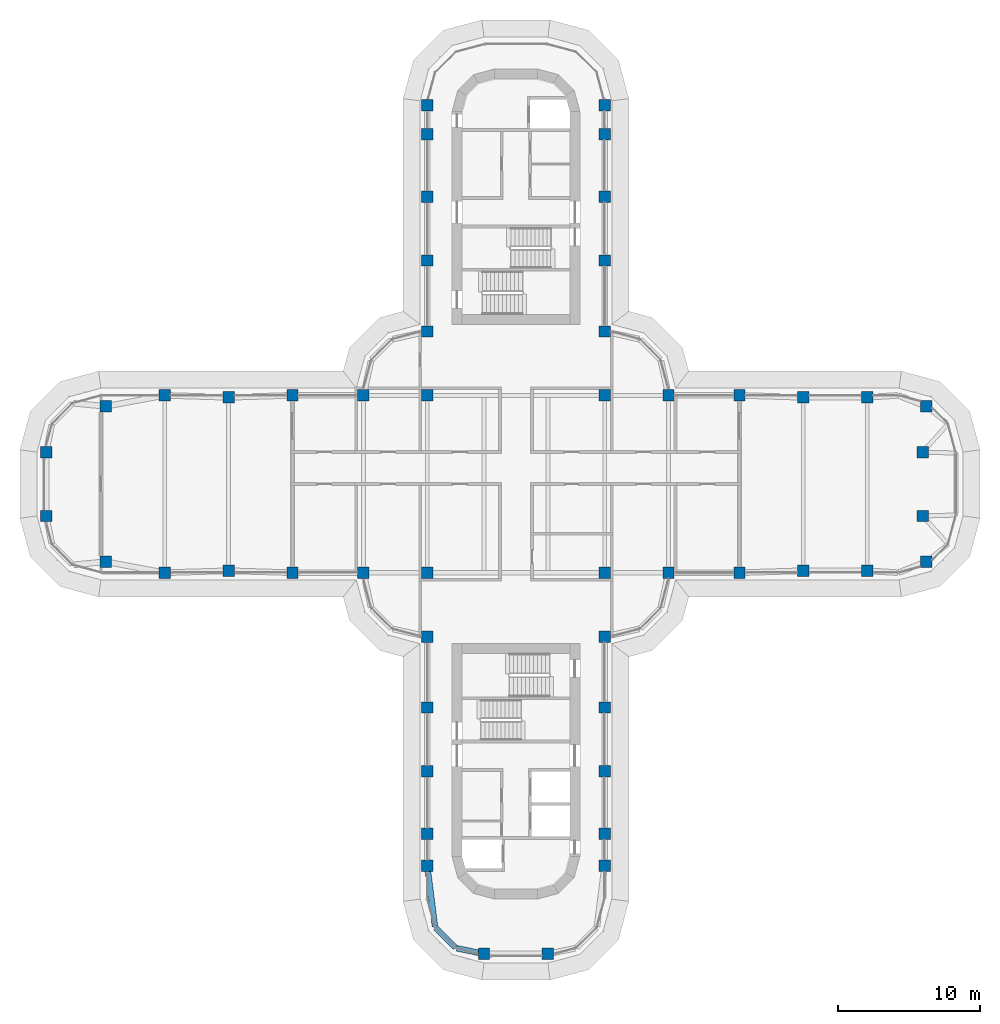
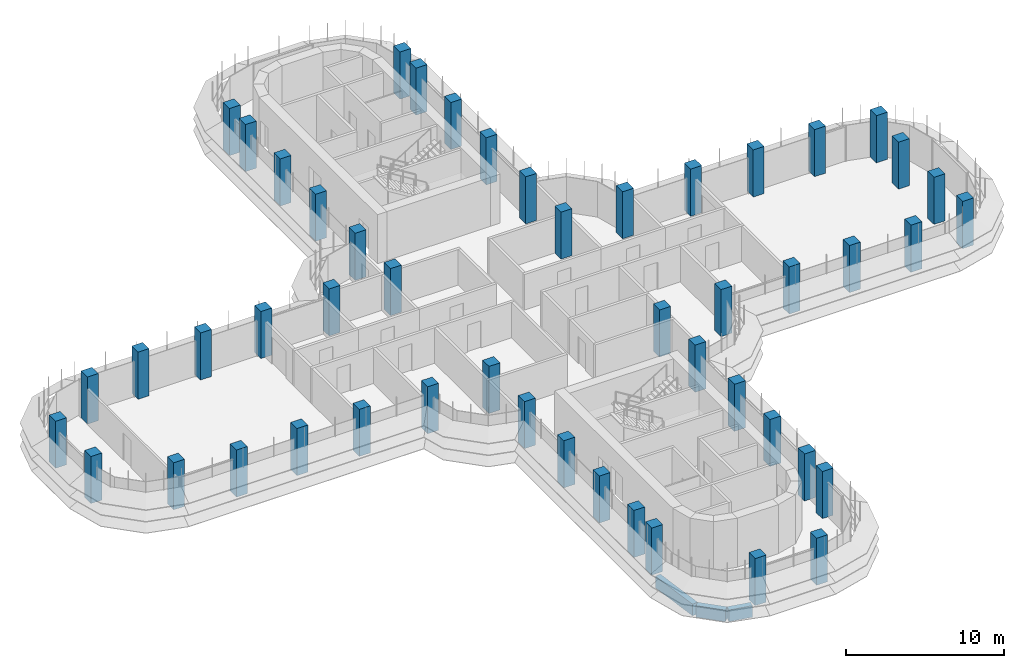
# One storey, part 1 of 20: 50 columns, 3 beams.
"""IFC4 building model written with IfcOpenShell, lengths in metres."""

from ifc_helpers import new_model, si_unit, direction, frame, origin, origin_2d, place, context, subcontext, project, spatial, rectangle, extrude, material, material_profile, profile_set, type_object, element, save


model = new_model("IFC4")

# Units and contexts
model_context = context("Model", 3, precision=1e-05, world=origin(), true_north=direction((0.0, 1.0)))
body_context = subcontext(model_context, "Body", "Model", "MODEL_VIEW")
ifc_project = project(units=[si_unit("LENGTHUNIT", "METRE"), si_unit("AREAUNIT", "SQUARE_METRE"), si_unit("VOLUMEUNIT", "CUBIC_METRE"), si_unit("PLANEANGLEUNIT", "RADIAN"), si_unit("MASSUNIT", "GRAM", prefix="KILO")], contexts=[model_context])

# Site, building, storey
site_placement = place(None, origin())
site = spatial("IfcSite", under=ifc_project, at=site_placement, CompositionType="ELEMENT")
building_placement = place(site_placement, origin())
building = spatial("IfcBuilding", under=site, at=building_placement, Name="Zarbagh Exchange Tower", CompositionType="ELEMENT")
storey_placement = place(building_placement, frame((0.0, 0.0, 144.800048828125)))
storey = spatial("IfcBuildingStorey", under=building, at=storey_placement, Name="L34", CompositionType="ELEMENT", Elevation=144.800048828125)

# Columns
ifc_material = material(Name="Concrete C50/60", Category="concrete")
ifc_material_profile_1 = material_profile(ifc_material, rectangle(XDim=0.800048828125, YDim=0.800048828125, at=origin_2d()), Name="RC column 800 x 800 C50/60")
ifc_profile_set_1 = profile_set([ifc_material_profile_1], Name="Concrete C50/60")
column_type = type_object("IfcColumnType", Name="RC column 800 x 800 C50/60", PredefinedType="COLUMN", material=ifc_profile_set_1)
for number, where, z_axis, x_axis, name in (
    (1, (-33.110107421875, -2.25, 0.0), (0.0, 0.0, 1.0), (1.0, 0.0, 0.0), "C4 10/S"),
    (2, (-33.110107421875, 2.25, 0.0), (0.0, 0.0, 1.0), (1.0, 0.0, 0.0), "C4 10/T"),
    (3, (-28.907958984375, -5.47509765625, 0.0), (0.0, 0.0, 1.0), (1.0, 0.0, 0.0), "C4 11/R"),
    (4, (-28.907958984375, 5.47509765625, 0.0), (0.0, 0.0, 1.0), (1.0, 0.0, 0.0), "C4 11/U"),
    (5, (-24.75, -6.25, 0.0), (0.0, 0.0, 1.0), (1.0, 0.0, 0.0), "C4 12/R"),
    (6, (-24.75, 6.25, 0.0), (0.0, 0.0, 1.0), (1.0, 0.0, 0.0), "C4 12/U"),
    (7, (-20.25, -6.110107421875, 0.0), (0.0, 0.0, 1.0), (1.0, 0.0, 0.0), "C4 13/R"),
    (8, (-20.25, 6.110107421875, 0.0), (0.0, 0.0, 1.0), (1.0, 0.0, 0.0), "C4 13/U"),
    (9, (-15.75, -6.25, 0.0), (0.0, 0.0, 1.0), (1.0, 0.0, 0.0), "C4 14/R"),
    (10, (-15.75, 6.25, 0.0), (0.0, 0.0, 1.0), (1.0, 0.0, 0.0), "C4 14/U"),
    (11, (-10.75, -6.25, 0.0), (0.0, 0.0, 1.0), (1.0, 0.0, 0.0), "C4 15/R"),
    (12, (-10.75, 6.25, 0.0), (0.0, 0.0, 1.0), (1.0, 0.0, 0.0), "C4 15/U"),
    (13, (-6.25, -26.89990234375, 0.0), (0.0, 0.0, 1.0), (1.0, 0.0, 0.0), "C4 16/L"),
    (14, (-6.25, -24.64990234375, 0.0), (0.0, 0.0, 1.0), (1.0, 0.0, 0.0), "C4 16/M"),
    (15, (-6.25, -20.25, 0.0), (0.0, 0.0, 1.0), (1.0, 0.0, 0.0), "C4 16/N"),
    (16, (-6.25, -15.75, 0.0), (0.0, 0.0, 1.0), (1.0, 0.0, 0.0), "C4 16/P"),
    (17, (-6.25, -10.75, 0.0), (0.0, 0.0, 1.0), (1.0, 0.0, 0.0), "C4 16/Q"),
    (18, (-6.25, -6.25, 0.0), (0.0, 0.0, 1.0), (1.0, 0.0, 0.0), "C4 16/R"),
    (19, (-6.25, 6.25, 0.0), (0.0, 0.0, 1.0), (1.0, 0.0, 0.0), "C4 16/U"),
    (20, (-6.25, 10.75, 0.0), (0.0, 0.0, 1.0), (1.0, 0.0, 0.0), "C4 16/V"),
    (21, (-6.25, 15.75, 0.0), (0.0, 0.0, 1.0), (1.0, 0.0, 0.0), "C4 16/W"),
    (22, (-6.25, 20.25, 0.0), (0.0, 0.0, 1.0), (1.0, 0.0, 0.0), "C4 16/X"),
    (23, (-6.25, 24.64990234375, 0.0), (0.0, 0.0, 1.0), (1.0, 0.0, 0.0), "C4 16/Y"),
    (24, (-6.25, 26.699951171875, 0.0), (0.0, 0.0, 1.0), (1.0, 0.0, 0.0), "C4 16/Z"),
    (25, (-2.25, -33.110107421875, 0.0), (0.0, 0.0, 1.0), (1.0, 0.0, 0.0), "C4 17/K"),
    (26, (2.25, -33.110107421875, 0.0), (0.0, 0.0, 1.0), (1.0, 0.0, 0.0), "C4 18/K"),
    (27, (6.25, -26.89990234375, 0.0), (0.0, 0.0, 1.0), (1.0, 0.0, 0.0), "C4 19/L"),
    (28, (6.25, -24.64990234375, 0.0), (0.0, 0.0, 1.0), (1.0, 0.0, 0.0), "C4 19/M"),
    (29, (6.25, -20.25, 0.0), (0.0, 0.0, 1.0), (1.0, 0.0, 0.0), "C4 19/N"),
    (30, (6.25, -15.75, 0.0), (0.0, 0.0, 1.0), (1.0, 0.0, 0.0), "C4 19/P"),
    (31, (6.25, -10.75, 0.0), (0.0, 0.0, 1.0), (1.0, 0.0, 0.0), "C4 19/Q"),
    (32, (6.25, -6.25, 0.0), (0.0, 0.0, 1.0), (1.0, 0.0, 0.0), "C4 19/R"),
    (33, (6.25, 6.25, 0.0), (0.0, 0.0, 1.0), (1.0, 0.0, 0.0), "C4 19/U"),
    (34, (6.25, 10.75, 0.0), (0.0, 0.0, 1.0), (1.0, 0.0, 0.0), "C4 19/V"),
    (35, (6.25, 15.75, 0.0), (0.0, 0.0, 1.0), (1.0, 0.0, 0.0), "C4 19/W"),
    (36, (6.25, 20.25, 0.0), (0.0, 0.0, 1.0), (1.0, 0.0, 0.0), "C4 19/X"),
    (37, (6.25, 24.64990234375, 0.0), (0.0, 0.0, 1.0), (1.0, 0.0, 0.0), "C4 19/Y"),
    (38, (6.25, 26.699951171875, 0.0), (0.0, 0.0, 1.0), (1.0, 0.0, 0.0), "C4 19/Z"),
    (39, (10.75, -6.25, 0.0), (0.0, 0.0, 1.0), (1.0, 0.0, 0.0), "C4 20/R"),
    (40, (10.75, 6.25, 0.0), (0.0, 0.0, 1.0), (1.0, 0.0, 0.0), "C4 20/U"),
    (41, (15.75, -6.25, 0.0), (0.0, 0.0, 1.0), (1.0, 0.0, 0.0), "C4 21/R"),
    (42, (15.75, 6.25, 0.0), (0.0, 0.0, 1.0), (1.0, 0.0, 0.0), "C4 21/U"),
    (43, (20.25, -6.110107421875, 0.0), (0.0, 0.0, 1.0), (1.0, 0.0, 0.0), "C4 22/R"),
    (44, (20.25, 6.110107421875, 0.0), (0.0, 0.0, 1.0), (1.0, 0.0, 0.0), "C4 22/U"),
    (45, (24.75, -6.110107421875, 0.0), (0.0, 0.0, 1.0), (1.0, 0.0, 0.0), "C4 23/R"),
    (46, (24.75, 6.110107421875, 0.0), (0.0, 0.0, 1.0), (1.0, 0.0, 0.0), "C4 23/U"),
    (47, (28.907958984375, -5.47509765625, 0.0), (0.0, 0.0, 1.0), (1.0, 0.0, 0.0), "C4 24/R"),
    (48, (28.669921875, -2.25, 0.0), (0.0, 0.0, 1.0), (1.0, 0.0, 0.0), "C4 24/S"),
    (49, (28.669921875, 2.25, 0.0), (0.0, 0.0, 1.0), (1.0, 0.0, 0.0), "C4 24/T"),
    (50, (28.907958984375, 5.47509765625, 0.0), (0.0, 0.0, 1.0), (1.0, 0.0, 0.0), "C4 24/U"),
):
    element("IfcColumn", number, at=place(storey_placement, frame(where, z_axis=z_axis, x_axis=x_axis)), inside=storey, type_object=column_type, Name=name, PredefinedType="COLUMN", context=body_context, shape_type="SweptSolid", body=[
        extrude(rectangle(XDim=0.800048828125, YDim=0.800048828125, at=origin_2d()), origin(), (0.0, 0.0, 1.0), 3.64990234375),
    ])

# Beams
ifc_material_profile_2 = material_profile(ifc_material, rectangle(XDim=0.39990234375, YDim=0.89990234375, at=origin_2d()), Name="RC spandrel beam 400 x 900 C50/60")
ifc_profile_set_2 = profile_set([ifc_material_profile_2], Name="Concrete C50/60")
beam_type = type_object("IfcBeamType", Name="RC spandrel beam 400 x 900 C50/60", PredefinedType="SPANDREL", material=ifc_profile_set_2)
beam_1_placement = place(storey_placement, frame((-2.6416015625, -33.029052734375, -0.60009765625), z_axis=(-0.979350550491, 0.20216948151, 0.0), x_axis=(-0.20216948151, -0.979350550491, 0.0)))
element("IfcBeam", 51, at=beam_1_placement, inside=storey, type_object=beam_type, Name="RC spandrel beam", PredefinedType="SPANDREL", context=body_context, shape_type="SweptSolid", body=[
    extrude(rectangle(XDim=0.39990234375, YDim=0.89990234375, at=origin_2d()), origin(), (0.0, 0.0, 1.0), 1.573486328125),
])
beam_2_placement = place(storey_placement, frame((-4.283447265625, -32.656494140625, -0.60009765625), z_axis=(-0.707106781187, 0.707106781187, 0.0), x_axis=(-0.707106781187, -0.707106781187, 0.0)))
element("IfcBeam", 52, at=beam_2_placement, inside=storey, type_object=beam_type, Name="RC spandrel beam", PredefinedType="SPANDREL", context=body_context, shape_type="SweptSolid", body=[
    extrude(rectangle(XDim=0.39990234375, YDim=0.89990234375, at=origin_2d()), origin(), (0.0, 0.0, 1.0), 1.93310546875),
])
beam_3_placement = place(storey_placement, frame((-5.70751953125, -31.17333984375, -0.60009765625), z_axis=(-0.125956921243, 0.992035712054, 0.0), x_axis=(-0.992035712054, -0.125956921243, 0.0)))
element("IfcBeam", 53, at=beam_3_placement, inside=storey, type_object=beam_type, Name="RC spandrel beam", PredefinedType="SPANDREL", context=body_context, shape_type="SweptSolid", body=[
    extrude(rectangle(XDim=0.39990234375, YDim=0.89990234375, at=origin_2d()), origin(), (0.0, 0.0, 1.0), 3.907470703125),
])

save(model, "model.ifc")
